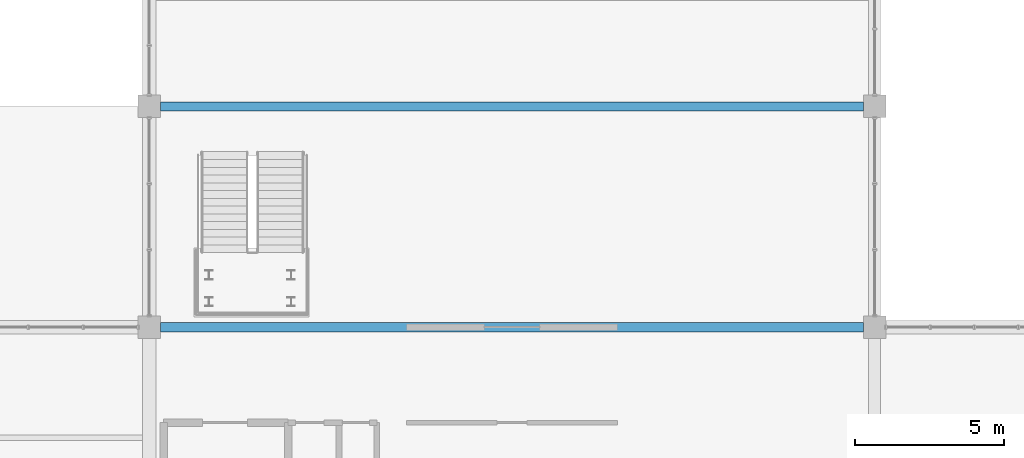
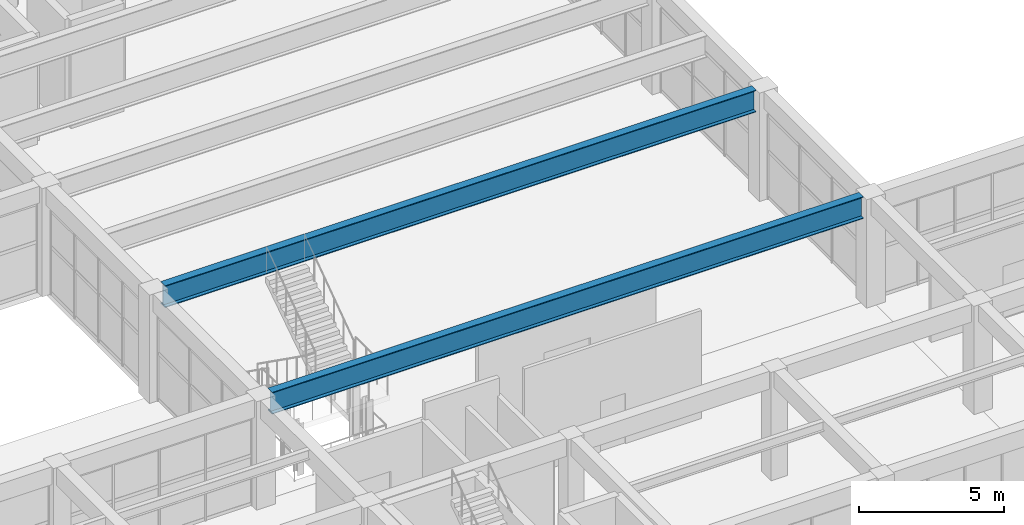
# One storey, part 47 of 161: 2 beams.
"""IFC4 building model written with IfcOpenShell, lengths in metres."""

import ifcopenshell
import ifcopenshell.guid

model = None  # the IFC model being written
_history = None  # IfcOwnerHistory: only IFC2X3 demands one
_inside = {}  # id of a spatial element -> (the spatial element, [elements in it])
_under = {}  # id of a project, library or spatial element -> (it, [spatial elements below it])
_declared = {}  # id of a project -> (the project, [libraries it declares])
_typed = {}  # id of a type object -> (the type object, [elements of that type])
_made_of = {}  # id of a material, layer set ... -> (it, [elements and type objects made of it])


def new_model(schema):
    """Start an empty IFC model of exactly this schema.

    Asked for "IFC4X3", IfcOpenShell would pick the latest addendum, in which some entities
    have other attributes; the version numbers below select the first issue.
    IFC2X3 requires an IfcOwnerHistory on every rooted entity: one is made here for all.
    """
    global model, _history
    if schema == "IFC4X3":
        model = ifcopenshell.file(schema_version=(4, 3, 0, 0))
    else:
        model = ifcopenshell.file(schema=schema)
    _inside.clear()
    _under.clear()
    _declared.clear()
    _typed.clear()
    _made_of.clear()
    _history = None
    if model.schema == "IFC2X3":
        org = make("IfcOrganization", Name="unknown")
        user = make(
            "IfcPersonAndOrganization",
            ThePerson=make("IfcPerson", FamilyName="unknown"),
            TheOrganization=org,
        )
        app = make(
            "IfcApplication",
            ApplicationDeveloper=org,
            Version="unknown",
            ApplicationFullName="unknown",
            ApplicationIdentifier="unknown",
        )
        _history = make(
            "IfcOwnerHistory",
            OwningUser=user,
            OwningApplication=app,
            ChangeAction="ADDED",
            CreationDate=0,
        )
    return model


def make(cls, **values):
    """One entity of the class cls with the attributes given. An attribute that is None is left unset."""
    return model.create_entity(
        cls, **{name: value for name, value in values.items() if value is not None}
    )


def rooted(cls, **values):
    """An entity with a GlobalId (a new one), such as an element, a storey or a relation."""
    return make(cls, GlobalId=ifcopenshell.guid.new(), OwnerHistory=_history, **values)


def si_unit(unit_type, name, prefix=None):
    """IfcSIUnit, for example si_unit("LENGTHUNIT", "METRE", prefix="MILLI")."""
    return make("IfcSIUnit", UnitType=unit_type, Prefix=prefix, Name=name)


def assignment(units):
    """IfcUnitAssignment: the units of a project."""
    return None if units is None else make("IfcUnitAssignment", Units=units)


def point(xyz):
    """IfcCartesianPoint."""
    return None if xyz is None else make("IfcCartesianPoint", Coordinates=xyz)


def direction(xyz):
    """IfcDirection."""
    return None if xyz is None else make("IfcDirection", DirectionRatios=xyz)


def frame(location, z_axis=None, x_axis=None):
    """IfcAxis2Placement3D, a coordinate frame: its origin and axes. An axis left out is left unset."""
    return make(
        "IfcAxis2Placement3D",
        Location=point(location),
        Axis=direction(z_axis),
        RefDirection=direction(x_axis),
    )


def frame_2d(location, x_axis=None):
    """IfcAxis2Placement2D, a coordinate frame in the plane: its origin and x axis."""
    return make(
        "IfcAxis2Placement2D", Location=point(location), RefDirection=direction(x_axis)
    )


def origin():
    """The frame at (0, 0, 0) with its axes left unset."""
    return frame((0.0, 0.0, 0.0))


def origin_2d():
    """The frame at (0, 0) in the plane with its x axis left unset."""
    return frame_2d((0.0, 0.0))


def place(relative_to, where):
    """IfcLocalPlacement: puts the frame where relative to a parent placement (None: the world)."""
    return make(
        "IfcLocalPlacement", PlacementRelTo=relative_to, RelativePlacement=where
    )


def context(
    kind, dimensions, precision=None, world=None, true_north=None, identifier=None
):
    """IfcGeometricRepresentationContext, for example the 3D "Model" context."""
    return make(
        "IfcGeometricRepresentationContext",
        ContextIdentifier=identifier,
        ContextType=kind,
        CoordinateSpaceDimension=dimensions,
        Precision=precision,
        WorldCoordinateSystem=world,
        TrueNorth=true_north,
    )


def subcontext(parent, identifier, kind, view, scale=None):
    """IfcGeometricRepresentationSubContext, for example "Body" below "Model"."""
    return make(
        "IfcGeometricRepresentationSubContext",
        ContextIdentifier=identifier,
        ContextType=kind,
        ParentContext=parent,
        TargetScale=scale,
        TargetView=view,
    )


def project(units=None, contexts=None):
    """IfcProject with its units and contexts."""
    return rooted(
        "IfcProject",
        Name="project",
        RepresentationContexts=contexts,
        UnitsInContext=assignment(units),
    )


def spatial(cls, under=None, at=None, **own):
    """A site, building, storey or space (cls), placed at a placement, below another one or the project."""
    s = rooted(cls, ObjectPlacement=at, **own)
    if under is not None:
        _under.setdefault(under.id(), (under, []))[1].append(s)
    return s


def profile(cls, at=None, kind="AREA", **sizes):
    """A parametric profile (cls). Its sizes go by their IFC names, for example OverallWidth=200.0."""
    return make(cls, ProfileType=kind, Position=at, **sizes)


def i_section(**sizes):
    """IfcIShapeProfileDef."""
    return profile("IfcIShapeProfileDef", **sizes)


def extrude(swept, where, along, depth):
    """IfcExtrudedAreaSolid: the profile swept, set in the frame where, extruded along a direction by depth."""
    return make(
        "IfcExtrudedAreaSolid",
        SweptArea=swept,
        Position=where,
        ExtrudedDirection=direction(along),
        Depth=depth,
    )


def shape(context_of_items, identifier, shape_type, items):
    """IfcShapeRepresentation: the items that make up one representation, for example the "Body"."""
    return make(
        "IfcShapeRepresentation",
        ContextOfItems=context_of_items,
        RepresentationIdentifier=identifier,
        RepresentationType=shape_type,
        Items=items,
    )


def material(Name=None, Category=None):
    """IfcMaterial."""
    return make("IfcMaterial", Name=Name, Category=Category)


def material_profile(
    of_material, cross_section, Name=None, Category=None, Priority=None
):
    """IfcMaterialProfile: a cross section and its material."""
    return make(
        "IfcMaterialProfile",
        Name=Name,
        Material=of_material,
        Profile=cross_section,
        Priority=Priority,
        Category=Category,
    )


def profile_set(profiles, Name=None, composite=None):
    """IfcMaterialProfileSet."""
    return make(
        "IfcMaterialProfileSet",
        Name=Name,
        MaterialProfiles=profiles,
        CompositeProfile=composite,
    )


def made_of(thing, what):
    """Note that an element or type object is made of a material, layer set ...; save() writes the relation."""
    if what is not None:
        _made_of.setdefault(what.id(), (what, []))[1].append(thing)
    return thing


def type_object(cls, material=None, **own):
    """A type object (cls), such as IfcWallType, which elements share."""
    return made_of(rooted(cls, **own), material)


def element(
    cls,
    number,
    at=None,
    inside=None,
    cuts=None,
    type_object=None,
    material=None,
    context=None,
    identifier="Body",
    shape_type=None,
    held_by="IfcProductDefinitionShape",
    body=None,
    shapes=None,
    **own,
):
    """One element of the class cls, such as IfcWall. Its Tag is "e" and its number.

    at: its placement. inside: the storey or other place that contains it. cuts: it is an
    opening in that element (IfcRelVoidsElement). A single representation is given by context,
    identifier, shape_type and body (its items); several are given by shapes. held_by: the class
    of the entity that holds the representations. save() writes the other relations.
    """
    e = rooted(cls, Tag="e%d" % number, ObjectPlacement=at, **own)
    if body is not None:
        shapes = [shape(context, identifier, shape_type, body)]
    if shapes is not None:
        e.Representation = make(held_by, Representations=shapes)
    if inside is not None:
        _inside.setdefault(inside.id(), (inside, []))[1].append(e)
    if cuts is not None:
        rooted(
            "IfcRelVoidsElement", RelatingBuildingElement=cuts, RelatedOpeningElement=e
        )
    if type_object is not None:
        _typed.setdefault(type_object.id(), (type_object, []))[1].append(e)
    return made_of(e, material)


def aggregate(whole, parts):
    """IfcRelAggregates: a whole, such as a stair, and the parts it consists of."""
    return rooted("IfcRelAggregates", RelatingObject=whole, RelatedObjects=parts)


def save(model, path):
    """Write the relations noted so far, then the file.

    IfcRelAggregates (storeys below a building ...), IfcRelContainedInSpatialStructure (elements
    in a storey), IfcRelDefinesByType, IfcRelAssociatesMaterial and IfcRelDeclares: one each for
    every whole, place, type object, material and project.
    """
    for whole, parts in _under.values():
        aggregate(whole, parts)
    for where, things in _inside.values():
        rooted(
            "IfcRelContainedInSpatialStructure",
            RelatedElements=things,
            RelatingStructure=where,
        )
    for kind, things in _typed.values():
        rooted("IfcRelDefinesByType", RelatedObjects=things, RelatingType=kind)
    for what, things in _made_of.values():
        rooted("IfcRelAssociatesMaterial", RelatedObjects=things, RelatingMaterial=what)
    for by, libraries in _declared.values():
        rooted("IfcRelDeclares", RelatingContext=by, RelatedDefinitions=libraries)
    model.write(path)


model = new_model("IFC4")

# Units and contexts
model_context = context("Model", 3, precision=1e-05, world=origin(), true_north=direction((0.0, 1.0)))
body_context = subcontext(model_context, "Body", "Model", "MODEL_VIEW")
ifc_project = project(units=[si_unit("LENGTHUNIT", "METRE"), si_unit("AREAUNIT", "SQUARE_METRE"), si_unit("VOLUMEUNIT", "CUBIC_METRE"), si_unit("PLANEANGLEUNIT", "RADIAN"), si_unit("MASSUNIT", "GRAM", prefix="KILO")], contexts=[model_context])

# Site, building, storey
site_placement = place(None, origin())
site = spatial("IfcSite", under=ifc_project, at=site_placement, CompositionType="ELEMENT")
building_placement = place(site_placement, origin())
building = spatial("IfcBuilding", under=site, at=building_placement, Name="Cimatlan Art Gallery", CompositionType="ELEMENT")
storey_placement = place(building_placement, frame((0.0, 0.0, 5.39990234375)))
storey = spatial("IfcBuildingStorey", under=building, at=storey_placement, Name="L01", CompositionType="ELEMENT", Elevation=5.39990234375)

# Beams
ifc_material = material(Name="Steel ASTM A992 Grade 50", Category="steel")
ifc_material_profile = material_profile(ifc_material, i_section(OverallWidth=0.306884765625, OverallDepth=0.923095703125, WebThickness=0.018310546875, FlangeThickness=0.030029296875, at=origin_2d()), Name="W36X182")
ifc_profile_set = profile_set([ifc_material_profile], Name="Steel ASTM A992 Grade 50")
beam_type = type_object("IfcBeamType", Name="BM-SPAN24-L02", PredefinedType="BEAM", material=ifc_profile_set)
for number, where, z_axis, x_axis, name in (
    (1, (75.27490234375, 38.699951171875, 4.0986328125), (1.0, 0.0, 0.0), (0.0, 1.0, 0.0), "BM-SP24-L01-05"),
    (2, (75.27490234375, 46.10009765625, 4.0986328125), (1.0, 0.0, 0.0), (0.0, 1.0, 0.0), "BM-SP24-L01-06"),
):
    element("IfcBeam", number, at=place(storey_placement, frame(where, z_axis=z_axis, x_axis=x_axis)), inside=storey, type_object=beam_type, Name=name, PredefinedType="BEAM", context=body_context, shape_type="SweptSolid", body=[
        extrude(i_section(OverallWidth=0.306884765625, OverallDepth=0.923095703125, WebThickness=0.018310546875, FlangeThickness=0.030029296875, at=origin_2d()), origin(), (0.0, 0.0, 1.0), 23.550048828125),
    ])

save(model, "model.ifc")
